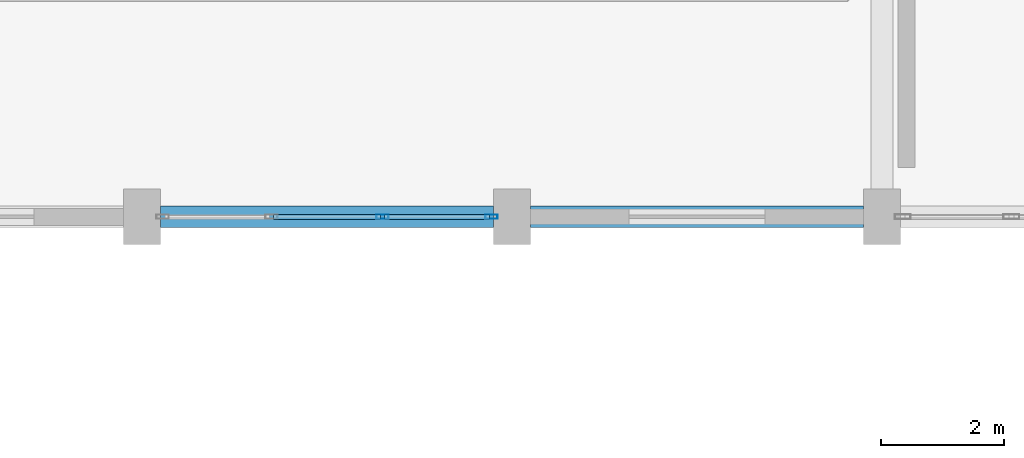
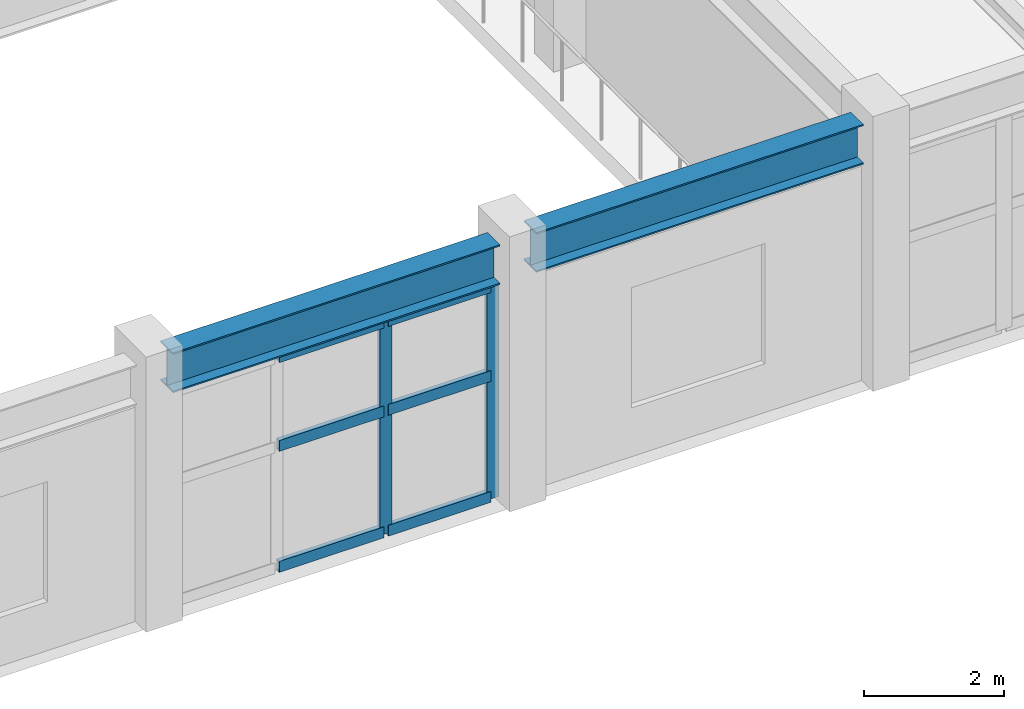
# One storey, part 9 of 96: 8 members, 2 beams, 1 element without a shape of its own.
"""IFC4 building model written with IfcOpenShell, lengths in metres."""

from ifc_helpers import new_model, si_unit, direction, frame, origin, origin_2d, place, context, subcontext, project, spatial, hollow_rectangle, i_section, extrude, material, layer, layer_set, material_profile, profile_set, type_object, element, aggregate, save


model = new_model("IFC4")

# Units and contexts
model_context = context("Model", 3, precision=1e-05, world=origin(), true_north=direction((0.0, 1.0)))
body_context = subcontext(model_context, "Body", "Model", "MODEL_VIEW")
ifc_project = project(units=[si_unit("LENGTHUNIT", "METRE"), si_unit("AREAUNIT", "SQUARE_METRE"), si_unit("VOLUMEUNIT", "CUBIC_METRE"), si_unit("PLANEANGLEUNIT", "RADIAN"), si_unit("MASSUNIT", "GRAM", prefix="KILO")], contexts=[model_context])

# Site, building, storey
site_placement = place(None, origin())
site = spatial("IfcSite", under=ifc_project, at=site_placement, CompositionType="ELEMENT")
building_placement = place(site_placement, origin())
building = spatial("IfcBuilding", under=site, at=building_placement, Name="Vaelkrest Opera House", CompositionType="ELEMENT")
storey_placement = place(building_placement, frame((0.0, 0.0, 5.39990234375)))
storey = spatial("IfcBuildingStorey", under=building, at=storey_placement, Name="L01", CompositionType="ELEMENT", Elevation=5.39990234375)

# Curtain wall, members
ifc_material_1 = material(Name="Dark bronze anodized aluminium", Category="aluminium")
ifc_layer = layer(ifc_material_1, 0.22998046875)
ifc_layer_set = layer_set([ifc_layer], Name="Dark bronze anodized aluminium")
curtain_wall_type = type_object("IfcCurtainWallType", Name="CW06", PredefinedType="NOTDEFINED", material=ifc_layer_set)
curtain_wall_placement = place(storey_placement, origin())
curtain_wall = element("IfcCurtainWall", 1, at=curtain_wall_placement, inside=storey, type_object=curtain_wall_type, Name="Curtain wall CW-L01-101", PredefinedType="NOTDEFINED")
ifc_material_profile_1 = material_profile(ifc_material_1, hollow_rectangle(XDim=0.070068359375, YDim=0.199951171875, WallThickness=0.004150390625, at=origin_2d()), Name="CWM70X200")
ifc_profile_set_1 = profile_set([ifc_material_profile_1], Name="Dark bronze anodized aluminium")
member_type_1 = type_object("IfcMemberType", Name="CWM02", PredefinedType="MULLION", material=ifc_profile_set_1)
member_1_placement = place(storey_placement, frame((-57.93310546875, -16.800048828125, 0.0), z_axis=(0.0, 0.0, 1.0), x_axis=(0.0, -1.0, 0.0)))
member_1 = element("IfcMember", 2, at=member_1_placement, type_object=member_type_1, Name="CW06 mullion 1", PredefinedType="MULLION", context=body_context, shape_type="SweptSolid", body=[
    extrude(hollow_rectangle(XDim=0.070068359375, YDim=0.199951171875, WallThickness=0.004150390625, at=origin_2d()), origin(), (0.0, 0.0, 1.0), 3.739990234375),
])
member_2_placement = place(storey_placement, frame((-59.69921875, -16.800048828125, 0.0), z_axis=(0.0, 0.0, 1.0), x_axis=(0.0, -1.0, 0.0)))
member_2 = element("IfcMember", 3, at=member_2_placement, type_object=member_type_1, Name="CW06 mullion 2", PredefinedType="MULLION", context=body_context, shape_type="SweptSolid", body=[
    extrude(hollow_rectangle(XDim=0.070068359375, YDim=0.199951171875, WallThickness=0.004150390625, at=origin_2d()), origin(), (0.0, 0.0, 1.0), 3.739990234375),
])
ifc_material_profile_2 = material_profile(ifc_material_1, hollow_rectangle(XDim=0.080078125, YDim=0.18994140625, WallThickness=0.0048828125, at=origin_2d()), Name="CWT80X190")
ifc_profile_set_2 = profile_set([ifc_material_profile_2], Name="Dark bronze anodized aluminium")
member_type_2 = type_object("IfcMemberType", Name="CWT04", PredefinedType="USERDEFINED", material=ifc_profile_set_2)
member_3_placement = place(storey_placement, frame((-57.968017578125, -16.800048828125, 0.0400390625), z_axis=(-1.0, 0.0, 0.0), x_axis=(0.0, -1.0, 0.0)))
member_3 = element("IfcMember", 4, at=member_3_placement, type_object=member_type_2, Name="CW06 transom 1.1", ObjectType="TRANSOM", PredefinedType="USERDEFINED", context=body_context, shape_type="SweptSolid", body=[
    extrude(hollow_rectangle(XDim=0.080078125, YDim=0.18994140625, WallThickness=0.0048828125, at=origin_2d()), origin(), (0.0, 0.0, 1.0), 1.6962890625),
])
member_4_placement = place(storey_placement, frame((-57.968017578125, -16.800048828125, 2.150146484375), z_axis=(-1.0, 0.0, 0.0), x_axis=(0.0, -1.0, 0.0)))
member_4 = element("IfcMember", 5, at=member_4_placement, type_object=member_type_2, Name="CW06 transom 1.2", ObjectType="TRANSOM", PredefinedType="USERDEFINED", context=body_context, shape_type="SweptSolid", body=[
    extrude(hollow_rectangle(XDim=0.080078125, YDim=0.18994140625, WallThickness=0.0048828125, at=origin_2d()), origin(), (0.0, 0.0, 1.0), 1.6962890625),
])
member_5_placement = place(storey_placement, frame((-57.968017578125, -16.800048828125, 3.7001953125), z_axis=(-1.0, 0.0, 0.0), x_axis=(0.0, -1.0, 0.0)))
member_5 = element("IfcMember", 6, at=member_5_placement, type_object=member_type_2, Name="CW06 transom 1.3", ObjectType="TRANSOM", PredefinedType="USERDEFINED", context=body_context, shape_type="SweptSolid", body=[
    extrude(hollow_rectangle(XDim=0.080078125, YDim=0.18994140625, WallThickness=0.0048828125, at=origin_2d()), origin(), (0.0, 0.0, 1.0), 1.6962890625),
])
member_6_placement = place(storey_placement, frame((-59.734375, -16.800048828125, 0.0400390625), z_axis=(-1.0, 0.0, 0.0), x_axis=(0.0, -1.0, 0.0)))
member_6 = element("IfcMember", 7, at=member_6_placement, type_object=member_type_2, Name="CW06 transom 2.1", ObjectType="TRANSOM", PredefinedType="USERDEFINED", context=body_context, shape_type="SweptSolid", body=[
    extrude(hollow_rectangle(XDim=0.080078125, YDim=0.18994140625, WallThickness=0.0048828125, at=origin_2d()), origin(), (0.0, 0.0, 1.0), 1.731201171875),
])
member_7_placement = place(storey_placement, frame((-59.734375, -16.800048828125, 2.150146484375), z_axis=(-1.0, 0.0, 0.0), x_axis=(0.0, -1.0, 0.0)))
member_7 = element("IfcMember", 8, at=member_7_placement, type_object=member_type_2, Name="CW06 transom 2.2", ObjectType="TRANSOM", PredefinedType="USERDEFINED", context=body_context, shape_type="SweptSolid", body=[
    extrude(hollow_rectangle(XDim=0.080078125, YDim=0.18994140625, WallThickness=0.0048828125, at=origin_2d()), origin(), (0.0, 0.0, 1.0), 1.731201171875),
])
member_8_placement = place(storey_placement, frame((-59.734375, -16.800048828125, 3.7001953125), z_axis=(-1.0, 0.0, 0.0), x_axis=(0.0, -1.0, 0.0)))
member_8 = element("IfcMember", 9, at=member_8_placement, type_object=member_type_2, Name="CW06 transom 2.3", ObjectType="TRANSOM", PredefinedType="USERDEFINED", context=body_context, shape_type="SweptSolid", body=[
    extrude(hollow_rectangle(XDim=0.080078125, YDim=0.18994140625, WallThickness=0.0048828125, at=origin_2d()), origin(), (0.0, 0.0, 1.0), 1.731201171875),
])
aggregate(curtain_wall, [member_1, member_2, member_3, member_4, member_5, member_6, member_7, member_8])

# Beams
ifc_material_2 = material(Name="Steel A992 Gr50", Category="steel")
ifc_material_profile_3 = material_profile(ifc_material_2, i_section(OverallWidth=0.35498046875, OverallDepth=0.695068359375, WebThickness=0.015380859375, FlangeThickness=0.02490234375, at=origin_2d()), Name="W27X146")
ifc_profile_set_3 = profile_set([ifc_material_profile_3], Name="Steel A992 Gr50")
beam_type = type_object("IfcBeamType", Name="SP02", PredefinedType="SPANDREL", material=ifc_profile_set_3)
for number, where, z_axis, x_axis, name in (
    (10, (-63.300048828125, -16.800048828125, 4.152587890625), (1.0, 0.0, 0.0), (0.0, 1.0, 0.0), "Beam BM-V3-L01-1510"),
    (11, (-57.300048828125, -16.800048828125, 4.152587890625), (1.0, 0.0, 0.0), (0.0, 1.0, 0.0), "Beam BM-V3-L01-1511"),
):
    element("IfcBeam", number, at=place(storey_placement, frame(where, z_axis=z_axis, x_axis=x_axis)), inside=storey, type_object=beam_type, Name=name, PredefinedType="SPANDREL", context=body_context, shape_type="SweptSolid", body=[
        extrude(i_section(OverallWidth=0.35498046875, OverallDepth=0.695068359375, WebThickness=0.015380859375, FlangeThickness=0.02490234375, at=origin_2d()), origin(), (0.0, 0.0, 1.0), 5.400146484375),
    ])

save(model, "model.ifc")
